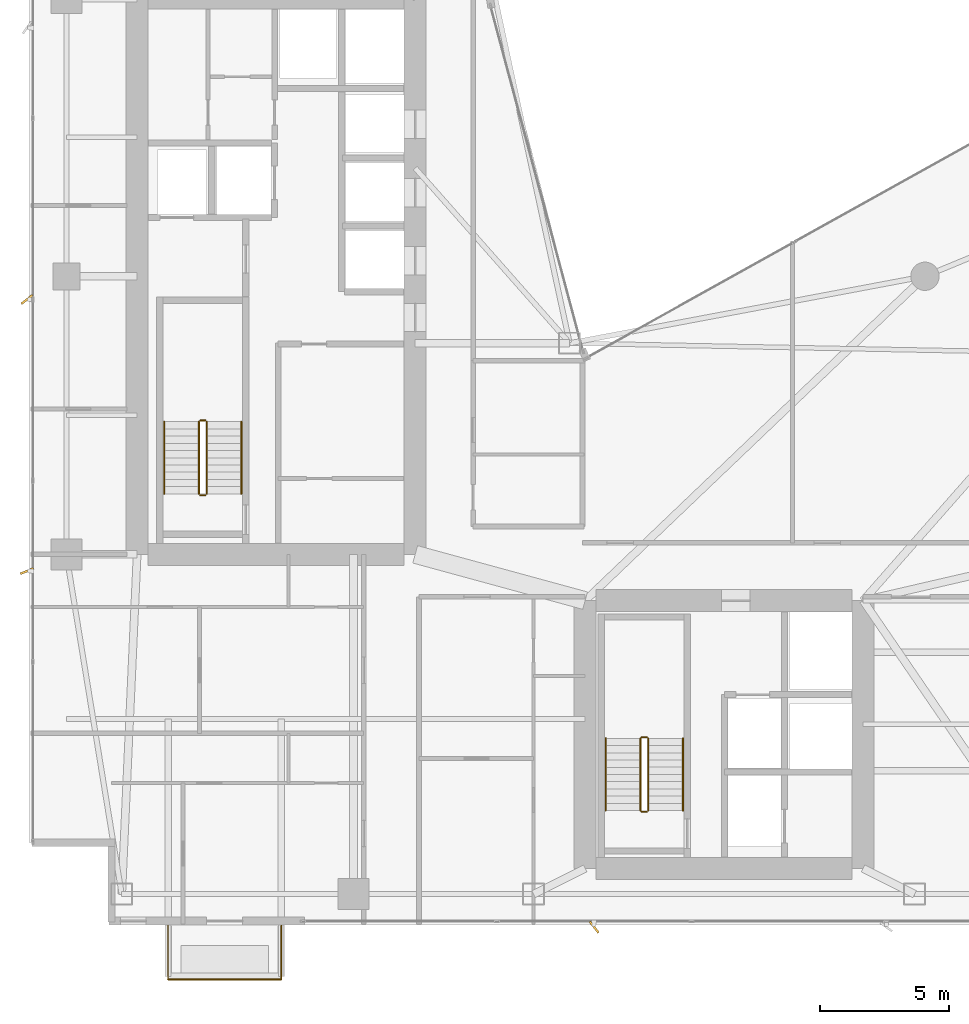
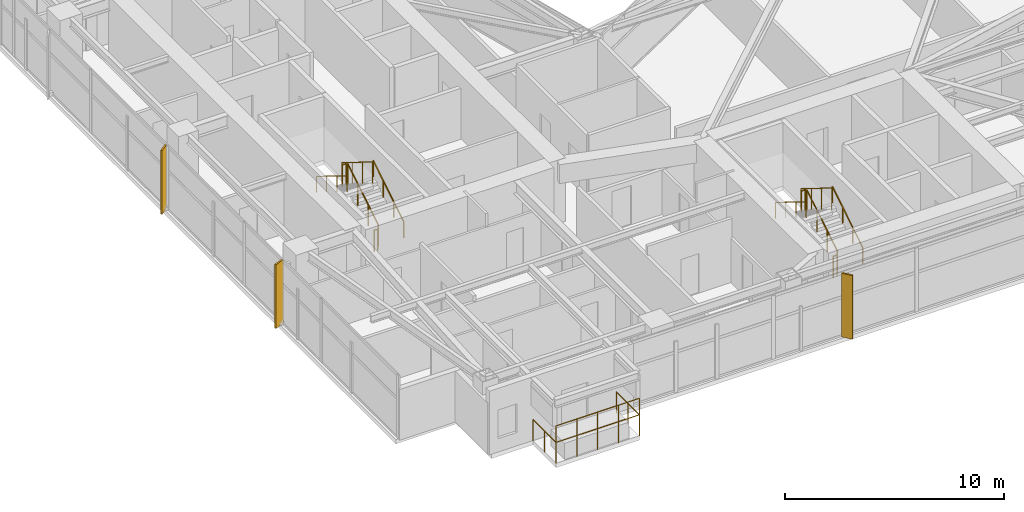
# One storey, part 28 of 29: 14 railings, 3 shading devices.
"""IFC4 building model written with IfcOpenShell, lengths in metres."""

import ifcopenshell
import ifcopenshell.guid

model = None  # the IFC model being written
_history = None  # IfcOwnerHistory: only IFC2X3 demands one
_inside = {}  # id of a spatial element -> (the spatial element, [elements in it])
_under = {}  # id of a project, library or spatial element -> (it, [spatial elements below it])
_declared = {}  # id of a project -> (the project, [libraries it declares])
_typed = {}  # id of a type object -> (the type object, [elements of that type])
_made_of = {}  # id of a material, layer set ... -> (it, [elements and type objects made of it])


def new_model(schema):
    """Start an empty IFC model of exactly this schema.

    Asked for "IFC4X3", IfcOpenShell would pick the latest addendum, in which some entities
    have other attributes; the version numbers below select the first issue.
    IFC2X3 requires an IfcOwnerHistory on every rooted entity: one is made here for all.
    """
    global model, _history
    if schema == "IFC4X3":
        model = ifcopenshell.file(schema_version=(4, 3, 0, 0))
    else:
        model = ifcopenshell.file(schema=schema)
    _inside.clear()
    _under.clear()
    _declared.clear()
    _typed.clear()
    _made_of.clear()
    _history = None
    if model.schema == "IFC2X3":
        org = make("IfcOrganization", Name="unknown")
        user = make(
            "IfcPersonAndOrganization",
            ThePerson=make("IfcPerson", FamilyName="unknown"),
            TheOrganization=org,
        )
        app = make(
            "IfcApplication",
            ApplicationDeveloper=org,
            Version="unknown",
            ApplicationFullName="unknown",
            ApplicationIdentifier="unknown",
        )
        _history = make(
            "IfcOwnerHistory",
            OwningUser=user,
            OwningApplication=app,
            ChangeAction="ADDED",
            CreationDate=0,
        )
    return model


def make(cls, **values):
    """One entity of the class cls with the attributes given. An attribute that is None is left unset."""
    return model.create_entity(
        cls, **{name: value for name, value in values.items() if value is not None}
    )


def rooted(cls, **values):
    """An entity with a GlobalId (a new one), such as an element, a storey or a relation."""
    return make(cls, GlobalId=ifcopenshell.guid.new(), OwnerHistory=_history, **values)


def si_unit(unit_type, name, prefix=None):
    """IfcSIUnit, for example si_unit("LENGTHUNIT", "METRE", prefix="MILLI")."""
    return make("IfcSIUnit", UnitType=unit_type, Prefix=prefix, Name=name)


def assignment(units):
    """IfcUnitAssignment: the units of a project."""
    return None if units is None else make("IfcUnitAssignment", Units=units)


def point(xyz):
    """IfcCartesianPoint."""
    return None if xyz is None else make("IfcCartesianPoint", Coordinates=xyz)


def direction(xyz):
    """IfcDirection."""
    return None if xyz is None else make("IfcDirection", DirectionRatios=xyz)


def frame(location, z_axis=None, x_axis=None):
    """IfcAxis2Placement3D, a coordinate frame: its origin and axes. An axis left out is left unset."""
    return make(
        "IfcAxis2Placement3D",
        Location=point(location),
        Axis=direction(z_axis),
        RefDirection=direction(x_axis),
    )


def frame_2d(location, x_axis=None):
    """IfcAxis2Placement2D, a coordinate frame in the plane: its origin and x axis."""
    return make(
        "IfcAxis2Placement2D", Location=point(location), RefDirection=direction(x_axis)
    )


def origin():
    """The frame at (0, 0, 0) with its axes left unset."""
    return frame((0.0, 0.0, 0.0))


def origin_2d():
    """The frame at (0, 0) in the plane with its x axis left unset."""
    return frame_2d((0.0, 0.0))


def place(relative_to, where):
    """IfcLocalPlacement: puts the frame where relative to a parent placement (None: the world)."""
    return make(
        "IfcLocalPlacement", PlacementRelTo=relative_to, RelativePlacement=where
    )


def context(
    kind, dimensions, precision=None, world=None, true_north=None, identifier=None
):
    """IfcGeometricRepresentationContext, for example the 3D "Model" context."""
    return make(
        "IfcGeometricRepresentationContext",
        ContextIdentifier=identifier,
        ContextType=kind,
        CoordinateSpaceDimension=dimensions,
        Precision=precision,
        WorldCoordinateSystem=world,
        TrueNorth=true_north,
    )


def subcontext(parent, identifier, kind, view, scale=None):
    """IfcGeometricRepresentationSubContext, for example "Body" below "Model"."""
    return make(
        "IfcGeometricRepresentationSubContext",
        ContextIdentifier=identifier,
        ContextType=kind,
        ParentContext=parent,
        TargetScale=scale,
        TargetView=view,
    )


def project(units=None, contexts=None):
    """IfcProject with its units and contexts."""
    return rooted(
        "IfcProject",
        Name="project",
        RepresentationContexts=contexts,
        UnitsInContext=assignment(units),
    )


def spatial(cls, under=None, at=None, **own):
    """A site, building, storey or space (cls), placed at a placement, below another one or the project."""
    s = rooted(cls, ObjectPlacement=at, **own)
    if under is not None:
        _under.setdefault(under.id(), (under, []))[1].append(s)
    return s


def profile(cls, at=None, kind="AREA", **sizes):
    """A parametric profile (cls). Its sizes go by their IFC names, for example OverallWidth=200.0."""
    return make(cls, ProfileType=kind, Position=at, **sizes)


def rectangle(**sizes):
    """IfcRectangleProfileDef."""
    return profile("IfcRectangleProfileDef", **sizes)


def circle(**sizes):
    """IfcCircleProfileDef."""
    return profile("IfcCircleProfileDef", **sizes)


def extrude(swept, where, along, depth):
    """IfcExtrudedAreaSolid: the profile swept, set in the frame where, extruded along a direction by depth."""
    return make(
        "IfcExtrudedAreaSolid",
        SweptArea=swept,
        Position=where,
        ExtrudedDirection=direction(along),
        Depth=depth,
    )


def shape(context_of_items, identifier, shape_type, items):
    """IfcShapeRepresentation: the items that make up one representation, for example the "Body"."""
    return make(
        "IfcShapeRepresentation",
        ContextOfItems=context_of_items,
        RepresentationIdentifier=identifier,
        RepresentationType=shape_type,
        Items=items,
    )


def material(Name=None, Category=None):
    """IfcMaterial."""
    return make("IfcMaterial", Name=Name, Category=Category)


def made_of(thing, what):
    """Note that an element or type object is made of a material, layer set ...; save() writes the relation."""
    if what is not None:
        _made_of.setdefault(what.id(), (what, []))[1].append(thing)
    return thing


def type_object(cls, material=None, **own):
    """A type object (cls), such as IfcWallType, which elements share."""
    return made_of(rooted(cls, **own), material)


def element(
    cls,
    number,
    at=None,
    inside=None,
    cuts=None,
    type_object=None,
    material=None,
    context=None,
    identifier="Body",
    shape_type=None,
    held_by="IfcProductDefinitionShape",
    body=None,
    shapes=None,
    **own,
):
    """One element of the class cls, such as IfcWall. Its Tag is "e" and its number.

    at: its placement. inside: the storey or other place that contains it. cuts: it is an
    opening in that element (IfcRelVoidsElement). A single representation is given by context,
    identifier, shape_type and body (its items); several are given by shapes. held_by: the class
    of the entity that holds the representations. save() writes the other relations.
    """
    e = rooted(cls, Tag="e%d" % number, ObjectPlacement=at, **own)
    if body is not None:
        shapes = [shape(context, identifier, shape_type, body)]
    if shapes is not None:
        e.Representation = make(held_by, Representations=shapes)
    if inside is not None:
        _inside.setdefault(inside.id(), (inside, []))[1].append(e)
    if cuts is not None:
        rooted(
            "IfcRelVoidsElement", RelatingBuildingElement=cuts, RelatedOpeningElement=e
        )
    if type_object is not None:
        _typed.setdefault(type_object.id(), (type_object, []))[1].append(e)
    return made_of(e, material)


def aggregate(whole, parts):
    """IfcRelAggregates: a whole, such as a stair, and the parts it consists of."""
    return rooted("IfcRelAggregates", RelatingObject=whole, RelatedObjects=parts)


def save(model, path):
    """Write the relations noted so far, then the file.

    IfcRelAggregates (storeys below a building ...), IfcRelContainedInSpatialStructure (elements
    in a storey), IfcRelDefinesByType, IfcRelAssociatesMaterial and IfcRelDeclares: one each for
    every whole, place, type object, material and project.
    """
    for whole, parts in _under.values():
        aggregate(whole, parts)
    for where, things in _inside.values():
        rooted(
            "IfcRelContainedInSpatialStructure",
            RelatedElements=things,
            RelatingStructure=where,
        )
    for kind, things in _typed.values():
        rooted("IfcRelDefinesByType", RelatedObjects=things, RelatingType=kind)
    for what, things in _made_of.values():
        rooted("IfcRelAssociatesMaterial", RelatedObjects=things, RelatingMaterial=what)
    for by, libraries in _declared.values():
        rooted("IfcRelDeclares", RelatingContext=by, RelatedDefinitions=libraries)
    model.write(path)


model = new_model("IFC4")

# Units and contexts
model_context = context("Model", 3, precision=1e-05, world=origin(), true_north=direction((0.0, 1.0)))
body_context = subcontext(model_context, "Body", "Model", "MODEL_VIEW")
ifc_project = project(units=[si_unit("LENGTHUNIT", "METRE"), si_unit("AREAUNIT", "SQUARE_METRE"), si_unit("VOLUMEUNIT", "CUBIC_METRE"), si_unit("PLANEANGLEUNIT", "RADIAN"), si_unit("MASSUNIT", "GRAM", prefix="KILO")], contexts=[model_context])

# Site, building, storey
site_placement = place(None, origin())
site = spatial("IfcSite", under=ifc_project, at=site_placement, CompositionType="ELEMENT")
building_placement = place(site_placement, origin())
building = spatial("IfcBuilding", under=site, at=building_placement, Name="Calvorn Quay Hotel", CompositionType="ELEMENT")
storey_placement = place(building_placement, frame((0.0, 0.0, 120.199951171875)))
storey = spatial("IfcBuildingStorey", under=building, at=storey_placement, Name="L29", CompositionType="ELEMENT", Elevation=120.199951171875)

# Railings
ifc_material_1 = material(Name="Pale Anodised Aluminium and Laminated Glass", Category="aluminium")
railing_type_1 = type_object("IfcRailingType", Name="RLG-BALUSTRADE-1200", PredefinedType="BALUSTRADE", material=ifc_material_1)
railing_1_placement = place(storey_placement, frame((5.39990234375, 2.389892578125, 0.0)))
element("IfcRailing", 1, at=railing_1_placement, inside=storey, type_object=railing_type_1, Name="Tree Balcony Perimeter Balustrade L29-BALC-S", PredefinedType="BALUSTRADE", context=body_context, shape_type="SweptSolid", body=[
    extrude(circle(Radius=0.02392578125, at=origin_2d()), frame((0.0, 0.0, 1.17578125), z_axis=(0.0, -1.0, 0.0), x_axis=(1.0, 0.0, 0.0)), (0.0, 0.0, 1.0), 2.099853515625),
    extrude(circle(Radius=0.02392578125, at=origin_2d()), frame((0.0, -2.099853515625, 1.17578125), z_axis=(1.0, 0.0, 0.0), x_axis=(0.0, 1.0, 0.0)), (0.0, 0.0, 1.0), 4.400146484375),
    extrude(circle(Radius=0.02392578125, at=origin_2d()), frame((4.400146484375, -2.099853515625, 1.17578125), z_axis=(0.0, 1.0, 0.0), x_axis=(-1.0, 0.0, 0.0)), (0.0, 0.0, 1.0), 2.099853515625),
    extrude(circle(Radius=0.02099609375, at=origin_2d()), origin(), (0.0, 0.0, 1.0), 1.15185546875),
    extrude(circle(Radius=0.02099609375, at=origin_2d()), frame((0.0, -1.0498046875, 0.0)), (0.0, 0.0, 1.0), 1.15185546875),
    extrude(circle(Radius=0.02099609375, at=origin_2d()), frame((0.0, -2.099853515625, 0.0)), (0.0, 0.0, 1.0), 1.15185546875),
    extrude(circle(Radius=0.02099609375, at=origin_2d()), frame((1.10009765625, -2.099853515625, 0.0)), (0.0, 0.0, 1.0), 1.15185546875),
    extrude(circle(Radius=0.02099609375, at=origin_2d()), frame((2.2001953125, -2.099853515625, 0.0)), (0.0, 0.0, 1.0), 1.15185546875),
    extrude(circle(Radius=0.02099609375, at=origin_2d()), frame((3.300048828125, -2.099853515625, 0.0)), (0.0, 0.0, 1.0), 1.15185546875),
    extrude(circle(Radius=0.02099609375, at=origin_2d()), frame((4.400146484375, -2.099853515625, 0.0)), (0.0, 0.0, 1.0), 1.15185546875),
    extrude(circle(Radius=0.02099609375, at=origin_2d()), frame((4.400146484375, -1.0498046875, 0.0)), (0.0, 0.0, 1.0), 1.15185546875),
    extrude(circle(Radius=0.02099609375, at=origin_2d()), frame((4.400146484375, 0.0, 0.0)), (0.0, 0.0, 1.0), 1.15185546875),
])
railing_2_placement = place(storey_placement, frame((5.39990234375, 0.2900390625, 0.900146484375)))
element("IfcRailing", 2, at=railing_2_placement, inside=storey, type_object=railing_type_1, Name="Planter Kerb High Safety Screen L29-BALC-S", PredefinedType="BALUSTRADE", context=body_context, shape_type="SweptSolid", body=[
    extrude(circle(Radius=0.02392578125, at=origin_2d()), frame((0.0, 0.0, 1.19580078125), z_axis=(1.0, 0.0, 0.0), x_axis=(0.0, 1.0, 0.0)), (0.0, 0.0, 1.0), 4.400146484375),
    extrude(circle(Radius=0.02099609375, at=origin_2d()), origin(), (0.0, 0.0, 1.0), 1.171875),
    extrude(circle(Radius=0.02099609375, at=origin_2d()), frame((1.10009765625, 0.0, 0.0)), (0.0, 0.0, 1.0), 1.171875),
    extrude(circle(Radius=0.02099609375, at=origin_2d()), frame((2.2001953125, 0.0, 0.0)), (0.0, 0.0, 1.0), 1.171875),
    extrude(circle(Radius=0.02099609375, at=origin_2d()), frame((3.300048828125, 0.0, 0.0)), (0.0, 0.0, 1.0), 1.171875),
    extrude(circle(Radius=0.02099609375, at=origin_2d()), frame((4.400146484375, 0.0, 0.0)), (0.0, 0.0, 1.0), 1.171875),
])
ifc_material_2 = material(Name="Brushed Stainless Steel Handrail", Category="steel")
railing_type_2 = type_object("IfcRailingType", Name="RLG-HANDRAIL-900", PredefinedType="HANDRAIL", material=ifc_material_2)
railing_3_placement = place(storey_placement, frame((8.25, 19.14990234375, 0.1728515625)))
element("IfcRailing", 3, at=railing_3_placement, inside=storey, type_object=railing_type_2, Name="L29 ST-W stair handrail 1", PredefinedType="HANDRAIL", context=body_context, shape_type="SweptSolid", body=[
    extrude(circle(Radius=0.02392578125, at=origin_2d()), frame((0.0, 0.0, 0.8759765625), z_axis=(0.0, 0.851089632645, 0.525020415988), x_axis=(-1.0, 0.0, 0.0)), (0.0, 0.0, 1.0), 3.2900390625),
    extrude(circle(Radius=0.02099609375, at=origin_2d()), origin(), (0.0, 0.0, 1.0), 0.851806640625),
    extrude(circle(Radius=0.02099609375, at=origin_2d()), frame((0.0, 0.933349609375, 0.57568359375)), (0.0, 0.0, 1.0), 0.851806640625),
    extrude(circle(Radius=0.02099609375, at=origin_2d()), frame((0.0, 1.86669921875, 1.151611328125)), (0.0, 0.0, 1.0), 0.851806640625),
    extrude(circle(Radius=0.02099609375, at=origin_2d()), frame((0.0, 2.800048828125, 1.727294921875)), (0.0, 0.0, 1.0), 0.851806640625),
])
railing_4_placement = place(storey_placement, frame((5.25, 21.949951171875, 2.07275390625)))
element("IfcRailing", 4, at=railing_4_placement, inside=storey, type_object=railing_type_2, Name="L29 ST-W stair handrail 2", PredefinedType="HANDRAIL", context=body_context, shape_type="SweptSolid", body=[
    extrude(circle(Radius=0.02392578125, at=origin_2d()), frame((0.0, 0.0, 0.8759765625), z_axis=(0.0, -0.851089632645, 0.525020415988), x_axis=(1.0, 0.0, 0.0)), (0.0, 0.0, 1.0), 3.2900390625),
    extrude(circle(Radius=0.02099609375, at=origin_2d()), origin(), (0.0, 0.0, 1.0), 0.851806640625),
    extrude(circle(Radius=0.02099609375, at=origin_2d()), frame((0.0, -0.933349609375, 0.57568359375)), (0.0, 0.0, 1.0), 0.851806640625),
    extrude(circle(Radius=0.02099609375, at=origin_2d()), frame((0.0, -1.86669921875, 1.151611328125)), (0.0, 0.0, 1.0), 0.851806640625),
    extrude(circle(Radius=0.02099609375, at=origin_2d()), frame((0.0, -2.800048828125, 1.727294921875)), (0.0, 0.0, 1.0), 0.851806640625),
])
railing_5_placement = place(storey_placement, frame((25.39990234375, 6.85009765625, 0.1728515625)))
element("IfcRailing", 5, at=railing_5_placement, inside=storey, type_object=railing_type_2, Name="L29 ST-E stair handrail 1", PredefinedType="HANDRAIL", context=body_context, shape_type="SweptSolid", body=[
    extrude(circle(Radius=0.02392578125, at=origin_2d()), frame((0.0, 0.0, 0.8759765625), z_axis=(0.0, 0.851069175582, 0.525053576669), x_axis=(-1.0, 0.0, 0.0)), (0.0, 0.0, 1.0), 3.289794921875),
    extrude(circle(Radius=0.02099609375, at=origin_2d()), origin(), (0.0, 0.0, 1.0), 0.851806640625),
    extrude(circle(Radius=0.02099609375, at=origin_2d()), frame((0.0, 0.933349609375, 0.57568359375)), (0.0, 0.0, 1.0), 0.851806640625),
    extrude(circle(Radius=0.02099609375, at=origin_2d()), frame((0.0, 1.866455078125, 1.151611328125)), (0.0, 0.0, 1.0), 0.851806640625),
    extrude(circle(Radius=0.02099609375, at=origin_2d()), frame((0.0, 2.7998046875, 1.727294921875)), (0.0, 0.0, 1.0), 0.851806640625),
])
railing_6_placement = place(storey_placement, frame((22.39990234375, 9.64990234375, 2.07275390625)))
element("IfcRailing", 6, at=railing_6_placement, inside=storey, type_object=railing_type_2, Name="L29 ST-E stair handrail 2", PredefinedType="HANDRAIL", context=body_context, shape_type="SweptSolid", body=[
    extrude(circle(Radius=0.02392578125, at=origin_2d()), frame((0.0, 0.0, 0.8759765625), z_axis=(0.0, -0.851069175582, 0.525053576669), x_axis=(1.0, 0.0, 0.0)), (0.0, 0.0, 1.0), 3.289794921875),
    extrude(circle(Radius=0.02099609375, at=origin_2d()), origin(), (0.0, 0.0, 1.0), 0.851806640625),
    extrude(circle(Radius=0.02099609375, at=origin_2d()), frame((0.0, -0.933349609375, 0.57568359375)), (0.0, 0.0, 1.0), 0.851806640625),
    extrude(circle(Radius=0.02099609375, at=origin_2d()), frame((0.0, -1.866455078125, 1.151611328125)), (0.0, 0.0, 1.0), 0.851806640625),
    extrude(circle(Radius=0.02099609375, at=origin_2d()), frame((0.0, -2.7998046875, 1.727294921875)), (0.0, 0.0, 1.0), 0.851806640625),
])
ifc_material_3 = material(Name="Painted Galvanised Steel Balustrade", Category="steel")
railing_type_3 = type_object("IfcRailingType", Name="RLG-STAIR-GUARD-1120", PredefinedType="GUARDRAIL", material=ifc_material_3)
railing_7_placement = place(storey_placement, frame((6.89990234375, 19.14990234375, 0.1728515625)))
element("IfcRailing", 7, at=railing_7_placement, inside=storey, type_object=railing_type_3, Name="L29 ST-W stair guard 1", PredefinedType="GUARDRAIL", context=body_context, shape_type="SweptSolid", body=[
    extrude(circle(Radius=0.02392578125, at=origin_2d()), frame((0.0, 0.0, 1.17578125), z_axis=(0.0, 0.851089632645, 0.525020415988), x_axis=(-1.0, 0.0, 0.0)), (0.0, 0.0, 1.0), 3.2900390625),
    extrude(circle(Radius=0.02099609375, at=origin_2d()), origin(), (0.0, 0.0, 1.0), 1.15185546875),
    extrude(circle(Radius=0.02099609375, at=origin_2d()), frame((0.0, 0.933349609375, 0.57568359375)), (0.0, 0.0, 1.0), 1.15185546875),
    extrude(circle(Radius=0.02099609375, at=origin_2d()), frame((0.0, 1.86669921875, 1.151611328125)), (0.0, 0.0, 1.0), 1.15185546875),
    extrude(circle(Radius=0.02099609375, at=origin_2d()), frame((0.0, 2.800048828125, 1.727294921875)), (0.0, 0.0, 1.0), 1.15185546875),
])
railing_8_placement = place(storey_placement, frame((6.85009765625, 22.0, 1.900146484375)))
element("IfcRailing", 8, at=railing_8_placement, inside=storey, type_object=railing_type_3, Name="L29 ST-W stair guard 2", PredefinedType="GUARDRAIL", context=body_context, shape_type="SweptSolid", body=[
    extrude(circle(Radius=0.02392578125, at=origin_2d()), frame((0.0, 0.0, 1.17578125), z_axis=(-1.0, 0.0, 0.0), x_axis=(0.0, -1.0, 0.0)), (0.0, 0.0, 1.0), 0.2001953125),
    extrude(circle(Radius=0.02099609375, at=origin_2d()), origin(), (0.0, 0.0, 1.0), 1.15185546875),
    extrude(circle(Radius=0.02099609375, at=origin_2d()), frame((-0.2001953125, 0.0, 0.0)), (0.0, 0.0, 1.0), 1.15185546875),
])
railing_9_placement = place(storey_placement, frame((6.60009765625, 21.949951171875, 2.07275390625)))
element("IfcRailing", 9, at=railing_9_placement, inside=storey, type_object=railing_type_3, Name="L29 ST-W stair guard 3", PredefinedType="GUARDRAIL", context=body_context, shape_type="SweptSolid", body=[
    extrude(circle(Radius=0.02392578125, at=origin_2d()), frame((0.0, 0.0, 1.17578125), z_axis=(0.0, -0.851089632645, 0.525020415988), x_axis=(1.0, 0.0, 0.0)), (0.0, 0.0, 1.0), 3.2900390625),
    extrude(circle(Radius=0.02099609375, at=origin_2d()), origin(), (0.0, 0.0, 1.0), 1.15185546875),
    extrude(circle(Radius=0.02099609375, at=origin_2d()), frame((0.0, -0.933349609375, 0.57568359375)), (0.0, 0.0, 1.0), 1.15185546875),
    extrude(circle(Radius=0.02099609375, at=origin_2d()), frame((0.0, -1.86669921875, 1.151611328125)), (0.0, 0.0, 1.0), 1.15185546875),
    extrude(circle(Radius=0.02099609375, at=origin_2d()), frame((0.0, -2.800048828125, 1.727294921875)), (0.0, 0.0, 1.0), 1.15185546875),
])
railing_10_placement = place(storey_placement, frame((6.85009765625, 19.10009765625, 0.0)))
element("IfcRailing", 10, at=railing_10_placement, inside=storey, type_object=railing_type_3, Name="L29 ST-W stair guard 4", PredefinedType="GUARDRAIL", context=body_context, shape_type="SweptSolid", body=[
    extrude(circle(Radius=0.02392578125, at=origin_2d()), frame((0.0, 0.0, 1.17578125), z_axis=(-1.0, 0.0, 0.0), x_axis=(0.0, -1.0, 0.0)), (0.0, 0.0, 1.0), 0.2001953125),
    extrude(circle(Radius=0.02099609375, at=origin_2d()), origin(), (0.0, 0.0, 1.0), 1.15185546875),
    extrude(circle(Radius=0.02099609375, at=origin_2d()), frame((-0.2001953125, 0.0, 0.0)), (0.0, 0.0, 1.0), 1.15185546875),
])
railing_11_placement = place(storey_placement, frame((24.050048828125, 6.85009765625, 0.1728515625)))
element("IfcRailing", 11, at=railing_11_placement, inside=storey, type_object=railing_type_3, Name="L29 ST-E stair guard 1", PredefinedType="GUARDRAIL", context=body_context, shape_type="SweptSolid", body=[
    extrude(circle(Radius=0.02392578125, at=origin_2d()), frame((0.0, 0.0, 1.17578125), z_axis=(0.0, 0.851069175582, 0.525053576669), x_axis=(-1.0, 0.0, 0.0)), (0.0, 0.0, 1.0), 3.289794921875),
    extrude(circle(Radius=0.02099609375, at=origin_2d()), origin(), (0.0, 0.0, 1.0), 1.15185546875),
    extrude(circle(Radius=0.02099609375, at=origin_2d()), frame((0.0, 0.933349609375, 0.57568359375)), (0.0, 0.0, 1.0), 1.15185546875),
    extrude(circle(Radius=0.02099609375, at=origin_2d()), frame((0.0, 1.866455078125, 1.151611328125)), (0.0, 0.0, 1.0), 1.15185546875),
    extrude(circle(Radius=0.02099609375, at=origin_2d()), frame((0.0, 2.7998046875, 1.727294921875)), (0.0, 0.0, 1.0), 1.15185546875),
])
railing_12_placement = place(storey_placement, frame((24.0, 9.699951171875, 1.900146484375)))
element("IfcRailing", 12, at=railing_12_placement, inside=storey, type_object=railing_type_3, Name="L29 ST-E stair guard 2", PredefinedType="GUARDRAIL", context=body_context, shape_type="SweptSolid", body=[
    extrude(circle(Radius=0.02392578125, at=origin_2d()), frame((0.0, 0.0, 1.17578125), z_axis=(-1.0, 0.0, 0.0), x_axis=(0.0, -1.0, 0.0)), (0.0, 0.0, 1.0), 0.199951171875),
    extrude(circle(Radius=0.02099609375, at=origin_2d()), origin(), (0.0, 0.0, 1.0), 1.15185546875),
    extrude(circle(Radius=0.02099609375, at=origin_2d()), frame((-0.199951171875, 0.0, 0.0)), (0.0, 0.0, 1.0), 1.15185546875),
])
railing_13_placement = place(storey_placement, frame((23.75, 9.64990234375, 2.07275390625)))
element("IfcRailing", 13, at=railing_13_placement, inside=storey, type_object=railing_type_3, Name="L29 ST-E stair guard 3", PredefinedType="GUARDRAIL", context=body_context, shape_type="SweptSolid", body=[
    extrude(circle(Radius=0.02392578125, at=origin_2d()), frame((0.0, 0.0, 1.17578125), z_axis=(0.0, -0.851069175582, 0.525053576669), x_axis=(1.0, 0.0, 0.0)), (0.0, 0.0, 1.0), 3.289794921875),
    extrude(circle(Radius=0.02099609375, at=origin_2d()), origin(), (0.0, 0.0, 1.0), 1.15185546875),
    extrude(circle(Radius=0.02099609375, at=origin_2d()), frame((0.0, -0.933349609375, 0.57568359375)), (0.0, 0.0, 1.0), 1.15185546875),
    extrude(circle(Radius=0.02099609375, at=origin_2d()), frame((0.0, -1.866455078125, 1.151611328125)), (0.0, 0.0, 1.0), 1.15185546875),
    extrude(circle(Radius=0.02099609375, at=origin_2d()), frame((0.0, -2.7998046875, 1.727294921875)), (0.0, 0.0, 1.0), 1.15185546875),
])
railing_14_placement = place(storey_placement, frame((24.0, 6.800048828125, 0.0)))
element("IfcRailing", 14, at=railing_14_placement, inside=storey, type_object=railing_type_3, Name="L29 ST-E stair guard 4", PredefinedType="GUARDRAIL", context=body_context, shape_type="SweptSolid", body=[
    extrude(circle(Radius=0.02392578125, at=origin_2d()), frame((0.0, 0.0, 1.17578125), z_axis=(-1.0, 0.0, 0.0), x_axis=(0.0, -1.0, 0.0)), (0.0, 0.0, 1.0), 0.199951171875),
    extrude(circle(Radius=0.02099609375, at=origin_2d()), origin(), (0.0, 0.0, 1.0), 1.15185546875),
    extrude(circle(Radius=0.02099609375, at=origin_2d()), frame((-0.199951171875, 0.0, 0.0)), (0.0, 0.0, 1.0), 1.15185546875),
])

# Shading devices
ifc_material_4 = material(Name="Champagne Bronze Anodised Aluminium 6063-T6", Category="aluminium")
shading_device_type_1 = type_object("IfcShadingDeviceType", Name="SHD-FIN-A1", PredefinedType="USERDEFINED", material=ifc_material_4)
shading_device_placement = place(storey_placement, frame((-0.080078125, 16.14990234375, 0.0), z_axis=(0.0, 0.0, 1.0), x_axis=(0.927183854567, 0.374606593416, 0.0)))
element("IfcShadingDevice", 15, at=shading_device_placement, inside=storey, type_object=shading_device_type_1, Name="Diagonal Sun-Shading Fin L29-W01", ObjectType="FIN", PredefinedType="USERDEFINED", context=body_context, shape_type="SweptSolid", body=[
    extrude(rectangle(XDim=0.550048828125, YDim=0.080078125, at=origin_2d()), origin(), (0.0, 0.0, 1.0), 3.56005859375),
])
ifc_material_5 = material(Name="Champagne Bronze Anodised Aluminium 6063-T6", Category="aluminium")
shading_device_type_2 = type_object("IfcShadingDeviceType", Name="SHD-FIN-A2", PredefinedType="USERDEFINED", material=ifc_material_5)
for number, where, z_axis, x_axis, name in (
    (16, (-0.080078125, 26.699951171875, 0.0), (0.0, 0.0, 1.0), (0.788010753607, 0.615661475326, 0.0), "Diagonal Sun-Shading Fin L29-W02"),
    (17, (21.949951171875, 2.320068359375, 0.0), (0.0, 0.0, 1.0), (-0.615661475326, 0.788010753607, 0.0), "Diagonal Sun-Shading Fin L29-S01"),
):
    element("IfcShadingDevice", number, at=place(storey_placement, frame(where, z_axis=z_axis, x_axis=x_axis)), inside=storey, type_object=shading_device_type_2, Name=name, ObjectType="FIN", PredefinedType="USERDEFINED", context=body_context, shape_type="SweptSolid", body=[
        extrude(rectangle(XDim=0.550048828125, YDim=0.080078125, at=origin_2d()), origin(), (0.0, 0.0, 1.0), 3.56005859375),
    ])

save(model, "model.ifc")
